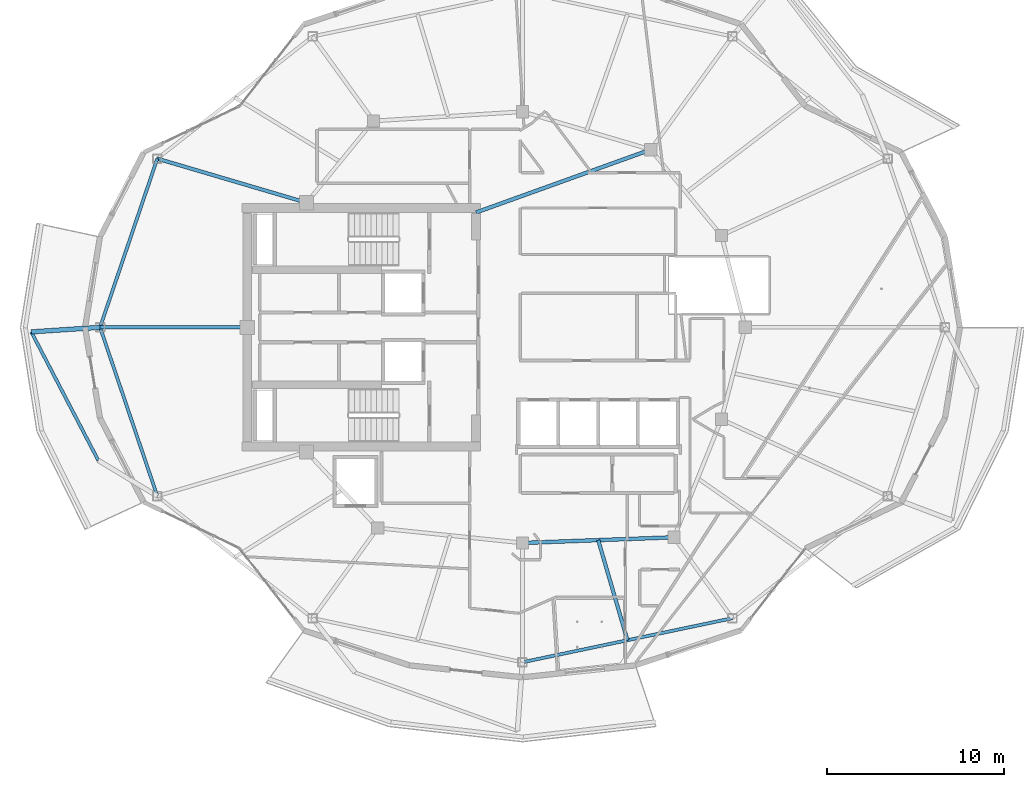
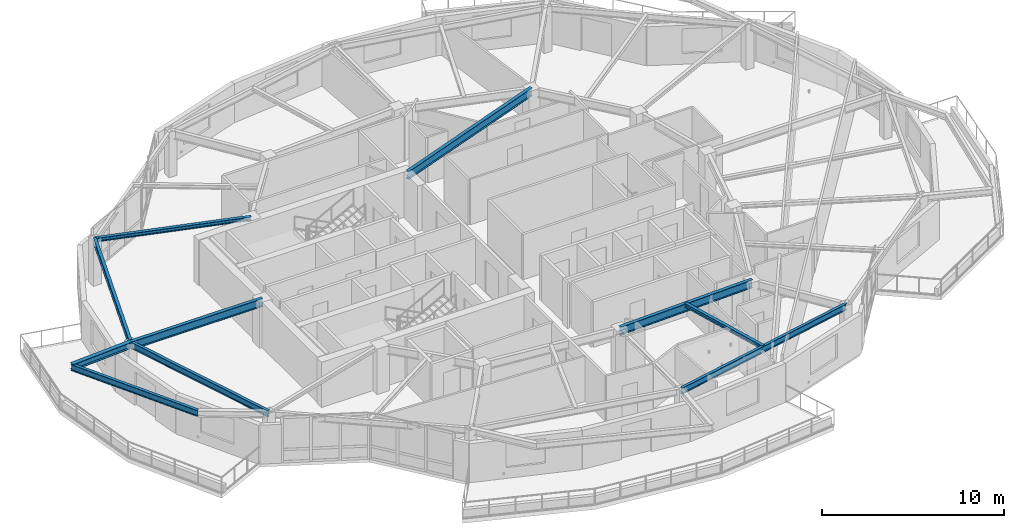
# One storey, part 3 of 19: 10 beams.
"""IFC4 building model written with IfcOpenShell, lengths in metres."""

from ifc_helpers import new_model, si_unit, direction, frame, origin, origin_2d, place, context, subcontext, project, spatial, i_section, extrude, material, material_profile, profile_set, type_object, element, save


model = new_model("IFC4")

# Units and contexts
model_context = context("Model", 3, precision=1e-05, world=origin(), true_north=direction((0.0, 1.0)))
body_context = subcontext(model_context, "Body", "Model", "MODEL_VIEW")
ifc_project = project(units=[si_unit("LENGTHUNIT", "METRE"), si_unit("AREAUNIT", "SQUARE_METRE"), si_unit("VOLUMEUNIT", "CUBIC_METRE"), si_unit("PLANEANGLEUNIT", "RADIAN"), si_unit("MASSUNIT", "GRAM", prefix="KILO")], contexts=[model_context])

# Site, building, storey
site_placement = place(None, origin())
site = spatial("IfcSite", under=ifc_project, at=site_placement, CompositionType="ELEMENT")
building_placement = place(site_placement, origin())
building = spatial("IfcBuilding", under=site, at=building_placement, Name="Kolvaren Gate Tower and Convention Centre", CompositionType="ELEMENT")
storey_placement = place(building_placement, frame((0.0, 0.0, 212.89990234375)))
storey = spatial("IfcBuildingStorey", under=building, at=storey_placement, Name="L56", CompositionType="ELEMENT", Elevation=212.89990234375)

# Beams
ifc_material = material(Name="Structural steel ASTM A992 Grade 345 MPa", Category="steel")
ifc_material_profile_1 = material_profile(ifc_material, i_section(OverallWidth=0.260009765625, OverallDepth=0.419921875, WebThickness=0.013427734375, FlangeThickness=0.0224609375, at=origin_2d()), Name="W410X132")
ifc_profile_set_1 = profile_set([ifc_material_profile_1], Name="Structural steel ASTM A992 Grade 345 MPa")
beam_type_1 = type_object("IfcBeamType", Name="STR-BM-W410X132", PredefinedType="BEAM", material=ifc_profile_set_1)
beam_1_placement = place(storey_placement, frame((6.22509765625, 27.0, 2.820556640625), z_axis=(-0.997825138942, -0.065916554034, 0.0), x_axis=(0.065916554034, -0.997825138942, 0.0)))
element("IfcBeam", 1, at=beam_1_placement, inside=storey, type_object=beam_type_1, Name="Tower L57 Planted Balcony Outrigger Cantilever BC-2A", PredefinedType="BEAM", context=body_context, shape_type="SweptSolid", body=[
    extrude(i_section(OverallWidth=0.260009765625, OverallDepth=0.419921875, WebThickness=0.013427734375, FlangeThickness=0.0224609375, at=origin_2d()), origin(), (0.0, 0.0, 1.0), 3.900146484375),
])
ifc_material_profile_2 = material_profile(ifc_material, i_section(OverallWidth=0.2119140625, OverallDepth=0.5439453125, WebThickness=0.01318359375, FlangeThickness=0.021240234375, at=origin_2d()), Name="W530X123")
ifc_profile_set_2 = profile_set([ifc_material_profile_2], Name="Structural steel ASTM A992 Grade 345 MPa")
beam_type_2 = type_object("IfcBeamType", Name="STR-BM-W530X123", PredefinedType="BEAM", material=ifc_profile_set_2)
beam_2_placement = place(storey_placement, frame((30.125, 14.800048828125, 2.758056640625), z_axis=(0.999301712453, 0.037364254142, 0.0), x_axis=(-0.037364254142, 0.999301712453, 0.0)))
element("IfcBeam", 2, at=beam_2_placement, inside=storey, type_object=beam_type_2, Name="Tower L56 Primary Ring Girder G-08", PredefinedType="BEAM", context=body_context, shape_type="SweptSolid", body=[
    extrude(i_section(OverallWidth=0.2119140625, OverallDepth=0.5439453125, WebThickness=0.01318359375, FlangeThickness=0.021240234375, at=origin_2d()), origin(), (0.0, 0.0, 1.0), 8.579345703125),
])
beam_3_placement = place(storey_placement, frame((27.5, 33.5, 2.758056640625), z_axis=(0.940961479908, 0.338513653093, 0.0), x_axis=(-0.338513653093, 0.940961479908, 0.0)))
element("IfcBeam", 3, at=beam_3_placement, inside=storey, type_object=beam_type_2, Name="Tower L56 Primary Ring Girder G-10", PredefinedType="BEAM", context=body_context, shape_type="SweptSolid", body=[
    extrude(i_section(OverallWidth=0.2119140625, OverallDepth=0.5439453125, WebThickness=0.01318359375, FlangeThickness=0.021240234375, at=origin_2d()), origin(), (0.0, 0.0, 1.0), 10.501708984375),
])
beam_4_placement = place(storey_placement, frame((14.550048828125, 27.0, 2.758056640625), z_axis=(-1.0, 0.0, 0.0), x_axis=(0.0, -1.0, 0.0)))
element("IfcBeam", 4, at=beam_4_placement, inside=storey, type_object=beam_type_2, Name="Tower L56 Radial Floor Girder RB-07", PredefinedType="BEAM", context=body_context, shape_type="SweptSolid", body=[
    extrude(i_section(OverallWidth=0.2119140625, OverallDepth=0.5439453125, WebThickness=0.01318359375, FlangeThickness=0.021240234375, at=origin_2d()), origin(), (0.0, 0.0, 1.0), 8.324951171875),
])
ifc_material_profile_3 = material_profile(ifc_material, i_section(OverallWidth=0.202880859375, OverallDepth=0.251953125, WebThickness=0.008056640625, FlangeThickness=0.013427734375, at=origin_2d()), Name="W250X58")
ifc_profile_set_3 = profile_set([ifc_material_profile_3], Name="Structural steel ASTM A992 Grade 345 MPa")
beam_type_3 = type_object("IfcBeamType", Name="STR-JS-W250X58", PredefinedType="JOIST", material=ifc_profile_set_3)
beam_5_placement = place(storey_placement, frame((17.9140625, 34.050048828125, 2.904052734375), z_axis=(-0.959121165581, 0.28299574155, 0.0), x_axis=(-0.28299574155, -0.959121165581, 0.0)))
element("IfcBeam", 5, at=beam_5_placement, inside=storey, type_object=beam_type_3, Name="Tower L56 Radial Floor Girder RB-06", PredefinedType="JOIST", context=body_context, shape_type="SweptSolid", body=[
    extrude(i_section(OverallWidth=0.202880859375, OverallDepth=0.251953125, WebThickness=0.008056640625, FlangeThickness=0.013427734375, at=origin_2d()), origin(), (0.0, 0.0, 1.0), 8.8115234375),
])
beam_6_placement = place(storey_placement, frame((34.41162109375, 14.960205078125, 2.904052734375), z_axis=(0.280001588896, -0.959999536571, 0.0), x_axis=(0.959999536571, 0.280001588896, 0.0)))
element("IfcBeam", 6, at=beam_6_placement, inside=storey, type_object=beam_type_3, Name="Tower L56 Secondary Composite Floor Joist J-10.1", PredefinedType="JOIST", context=body_context, shape_type="SweptSolid", body=[
    extrude(i_section(OverallWidth=0.202880859375, OverallDepth=0.251953125, WebThickness=0.008056640625, FlangeThickness=0.013427734375, at=origin_2d()), origin(), (0.0, 0.0, 1.0), 5.900390625),
])
ifc_material_profile_4 = material_profile(ifc_material, i_section(OverallWidth=0.180908203125, OverallDepth=0.4169921875, WebThickness=0.010986328125, FlangeThickness=0.018310546875, at=origin_2d()), Name="W410X85")
ifc_profile_set_4 = profile_set([ifc_material_profile_4], Name="Structural steel ASTM A992 Grade 345 MPa")
beam_type_4 = type_object("IfcBeamType", Name="STR-SP-W410X85", PredefinedType="SPANDREL", material=ifc_profile_set_4)
for number, where, z_axis, x_axis, name in (
    (7, (9.462646484375, 36.543701171875, 2.821533203125), (-0.321252507379, -0.946993572577, 0.0), (0.946993572577, -0.321252507379, 0.0), "Tower L56 Perimeter Spandrel Beam SP-06"),
    (8, (6.22509765625, 27.0, 2.821533203125), (0.321252507379, -0.946993572577, 0.0), (0.946993572577, 0.321252507379, 0.0), "Tower L56 Perimeter Spandrel Beam SP-07"),
):
    element("IfcBeam", number, at=place(storey_placement, frame(where, z_axis=z_axis, x_axis=x_axis)), inside=storey, type_object=beam_type_4, Name=name, PredefinedType="SPANDREL", context=body_context, shape_type="SweptSolid", body=[
        extrude(i_section(OverallWidth=0.180908203125, OverallDepth=0.4169921875, WebThickness=0.010986328125, FlangeThickness=0.018310546875, at=origin_2d()), origin(), (0.0, 0.0, 1.0), 10.077880859375),
    ])
beam_7_placement = place(storey_placement, frame((30.125, 8.050048828125, 2.821533203125), z_axis=(0.978692765917, 0.205330148645, 0.0), x_axis=(-0.205330148645, 0.978692765917, 0.0)))
element("IfcBeam", 9, at=beam_7_placement, inside=storey, type_object=beam_type_4, Name="Tower L56 Perimeter Spandrel Beam SP-10", PredefinedType="SPANDREL", context=body_context, shape_type="SweptSolid", body=[
    extrude(i_section(OverallWidth=0.180908203125, OverallDepth=0.4169921875, WebThickness=0.010986328125, FlangeThickness=0.018310546875, at=origin_2d()), origin(), (0.0, 0.0, 1.0), 12.13623046875),
])
beam_8_placement = place(storey_placement, frame((2.33349609375, 26.742919921875, 2.822021484375), z_axis=(0.462251551917, -0.886748838595, 0.0), x_axis=(0.886748838595, 0.462251551917, 0.0)))
element("IfcBeam", 10, at=beam_8_placement, inside=storey, type_object=beam_type_4, Name="Tower L57 Planted Balcony Header Tie Beam BT-2", PredefinedType="SPANDREL", context=body_context, shape_type="SweptSolid", body=[
    extrude(i_section(OverallWidth=0.180908203125, OverallDepth=0.4169921875, WebThickness=0.010986328125, FlangeThickness=0.018310546875, at=origin_2d()), origin(), (0.0, 0.0, 1.0), 8.19970703125),
])

save(model, "model.ifc")
